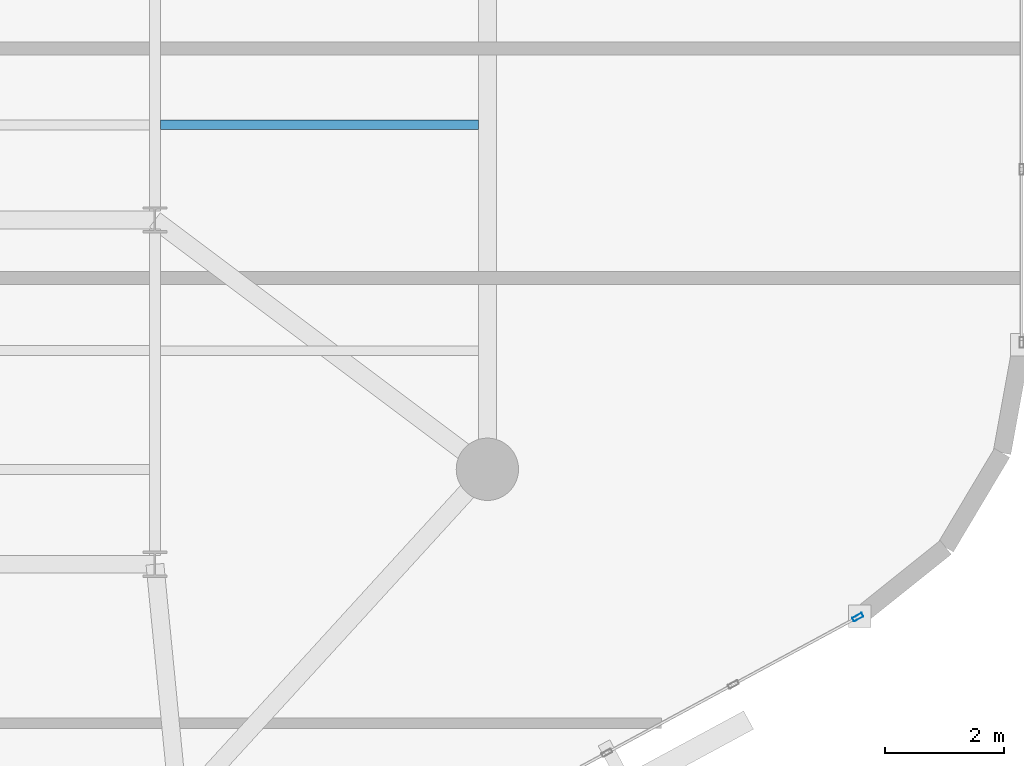
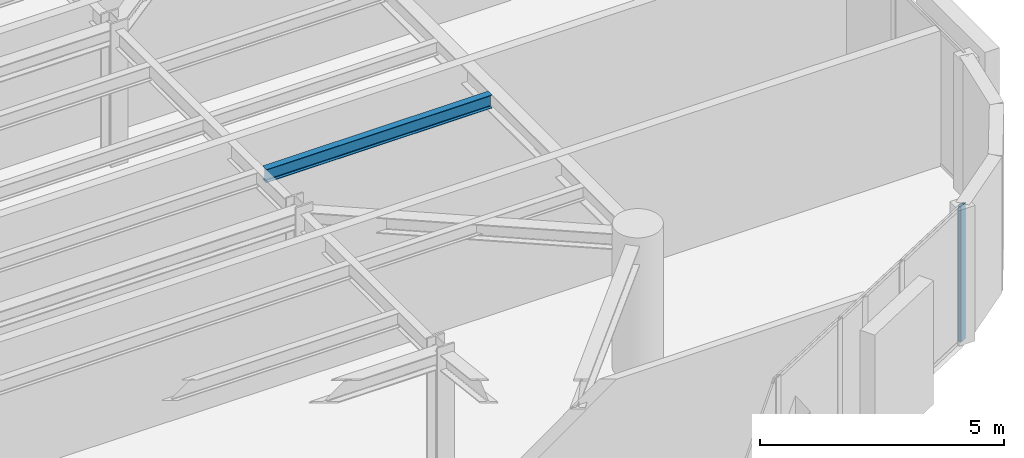
# One storey, part 3 of 13: 1 beam, 1 member, 1 element without a shape of its own.
"""IFC4 building model written with IfcOpenShell, lengths in metres."""

from ifc_helpers import new_model, si_unit, direction, frame, origin, origin_2d, place, context, subcontext, project, spatial, hollow_rectangle, i_section, extrude, material, layer, layer_set, material_profile, profile_set, type_object, element, aggregate, save


model = new_model("IFC4")

# Units and contexts
model_context = context("Model", 3, precision=1e-05, world=origin(), true_north=direction((0.0, 1.0)))
body_context = subcontext(model_context, "Body", "Model", "MODEL_VIEW")
ifc_project = project(units=[si_unit("LENGTHUNIT", "METRE"), si_unit("AREAUNIT", "SQUARE_METRE"), si_unit("VOLUMEUNIT", "CUBIC_METRE"), si_unit("PLANEANGLEUNIT", "RADIAN"), si_unit("MASSUNIT", "GRAM", prefix="KILO")], contexts=[model_context])

# Site, building, storey
site_placement = place(None, origin())
site = spatial("IfcSite", under=ifc_project, at=site_placement, CompositionType="ELEMENT")
building_placement = place(site_placement, origin())
building = spatial("IfcBuilding", under=site, at=building_placement, Name="An Khanh Terracotta Commons", CompositionType="ELEMENT")
storey_placement = place(building_placement, frame((0.0, 0.0, 215.699951171875)))
storey = spatial("IfcBuildingStorey", under=building, at=storey_placement, Name="L56", CompositionType="ELEMENT", Elevation=215.699951171875)

# Beam
ifc_material_1 = material(Name="Steel S355J2", Category="steel")
ifc_material_profile_1 = material_profile(ifc_material_1, i_section(OverallWidth=0.159912109375, OverallDepth=0.330078125, WebThickness=0.007568359375, FlangeThickness=0.011474609375, FilletRadius=0.01806640625, at=origin_2d()), Name="IPE330")
ifc_profile_set_1 = profile_set([ifc_material_profile_1], Name="Steel S355J2")
beam_type = type_object("IfcBeamType", Name="BM-IPE330", PredefinedType="JOIST", material=ifc_profile_set_1)
beam_placement = place(storey_placement, frame((54.094970703125, 21.800048828125, 3.235107421875), z_axis=(1.0, 0.0, 0.0), x_axis=(0.0, 1.0, 0.0)))
element("IfcBeam", 1, at=beam_placement, inside=storey, type_object=beam_type, Name="L56 Riverfront Composite Joist 3", PredefinedType="JOIST", context=body_context, shape_type="SweptSolid", body=[
    extrude(i_section(OverallWidth=0.159912109375, OverallDepth=0.330078125, WebThickness=0.007568359375, FlangeThickness=0.011474609375, FilletRadius=0.01806640625, at=origin_2d()), origin(), (0.0, 0.0, 1.0), 5.35498046875),
])

# Curtain wall, member
ifc_material_2 = material(Name="Anodised Aluminium 6063-T6", Category="aluminium")
ifc_layer = layer(ifc_material_2, 0.2099609375, Name="Anodised Aluminium 6063-T6")
ifc_layer_set = layer_set([ifc_layer], Name="Anodised Aluminium 6063-T6")
curtain_wall_type = type_object("IfcCurtainWallType", Name="CW-SYS-03", PredefinedType="USERDEFINED", material=ifc_layer_set)
curtain_wall_placement = place(storey_placement, origin())
curtain_wall = element("IfcCurtainWall", 2, at=curtain_wall_placement, inside=storey, type_object=curtain_wall_type, Name="L56 CW-03 Unitised Curtain Wall CW-L56-08", ObjectType="UNITISED CURTAIN WALL", PredefinedType="USERDEFINED")
ifc_material_profile_2 = material_profile(ifc_material_2, hollow_rectangle(XDim=0.070068359375, YDim=0.179931640625, WallThickness=0.00390625, InnerFilletRadius=0.00390625, OuterFilletRadius=0.008056640625, at=origin_2d()), Name="RHS180x70x4")
ifc_profile_set_2 = profile_set([ifc_material_profile_2], Name="Anodised Aluminium 6063-T6")
member_type = type_object("IfcMemberType", Name="CWM-RHS180x70x4", PredefinedType="MULLION", material=ifc_profile_set_2)
member_placement = place(storey_placement, frame((65.84130859375, 13.50927734375, 0.0), z_axis=(0.0, 0.0, 1.0), x_axis=(-0.47538088298, 0.879780095306, 0.0)))
member = element("IfcMember", 3, at=member_placement, type_object=member_type, Name="CW-03 mullion 5", PredefinedType="MULLION", context=body_context, shape_type="SweptSolid", body=[
    extrude(hollow_rectangle(XDim=0.070068359375, YDim=0.179931640625, WallThickness=0.00390625, InnerFilletRadius=0.00390625, OuterFilletRadius=0.008056640625, at=origin_2d()), origin(), (0.0, 0.0, 1.0), 3.400146484375),
])
aggregate(curtain_wall, [member])

save(model, "model.ifc")
